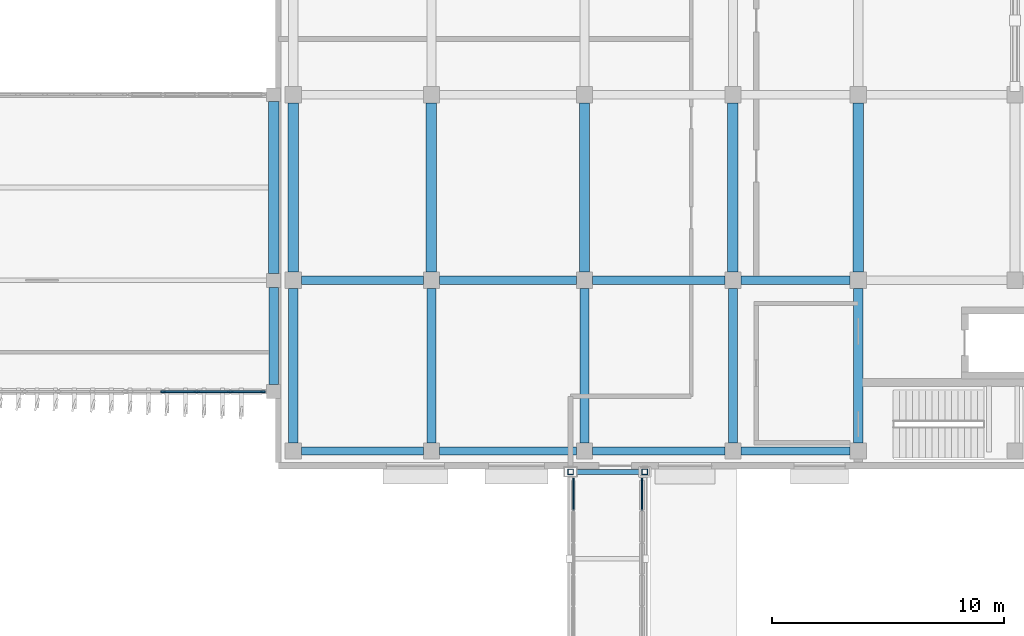
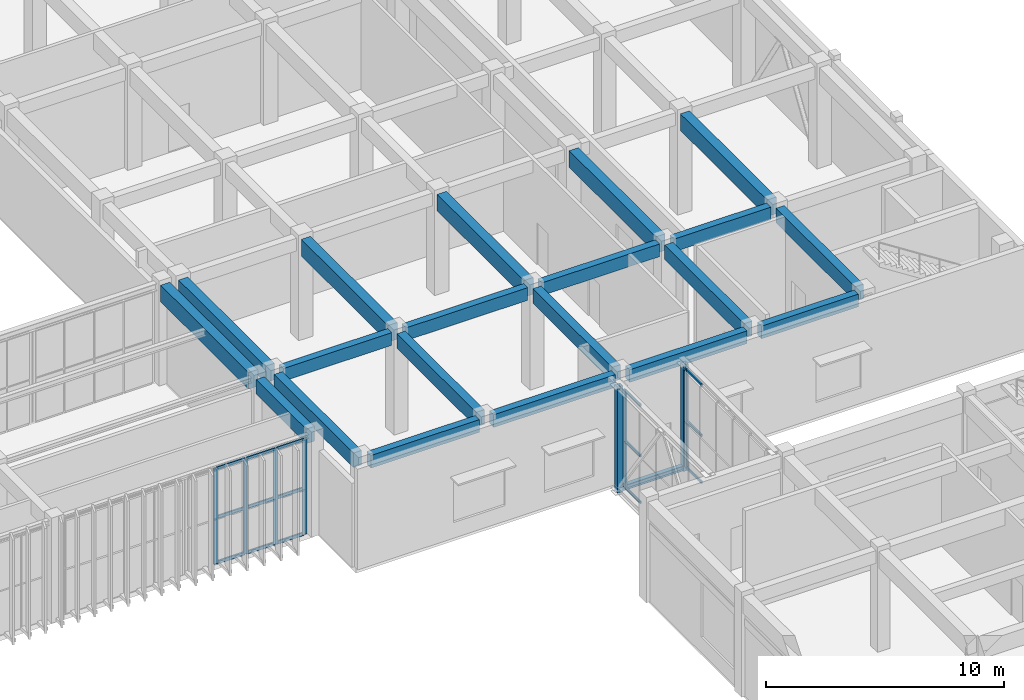
# One storey, part 25 of 64: 23 members, 21 beams, 3 elements without a shape of their own.
"""IFC4 building model written with IfcOpenShell, lengths in metres."""

from ifc_helpers import new_model, si_unit, direction, frame, origin, origin_2d, place, context, subcontext, project, spatial, rectangle, hollow_rectangle, i_section, extrude, material, layer, layer_set, material_profile, profile_set, type_object, element, aggregate, save


model = new_model("IFC4")

# Units and contexts
model_context = context("Model", 3, precision=1e-05, world=origin(), true_north=direction((0.0, 1.0)))
body_context = subcontext(model_context, "Body", "Model", "MODEL_VIEW")
ifc_project = project(units=[si_unit("LENGTHUNIT", "METRE"), si_unit("AREAUNIT", "SQUARE_METRE"), si_unit("VOLUMEUNIT", "CUBIC_METRE"), si_unit("PLANEANGLEUNIT", "RADIAN"), si_unit("MASSUNIT", "GRAM", prefix="KILO")], contexts=[model_context])

# Site, building, storey
site_placement = place(None, origin())
site = spatial("IfcSite", under=ifc_project, at=site_placement, CompositionType="ELEMENT")
building_placement = place(site_placement, origin())
building = spatial("IfcBuilding", under=site, at=building_placement, Name="Cinchona Park Media Centre", CompositionType="ELEMENT")
storey_placement = place(building_placement, frame((0.0, 0.0, 10.199951171875)))
storey = spatial("IfcBuildingStorey", under=building, at=storey_placement, Name="L02", CompositionType="ELEMENT", Elevation=10.199951171875)

# Beams
ifc_material_1 = material(Name="Concrete C35/45", Category="concrete")
ifc_material_profile_1 = material_profile(ifc_material_1, rectangle(XDim=0.39990234375, YDim=0.75, at=origin_2d()), Name="RB 400X750")
ifc_profile_set_1 = profile_set([ifc_material_profile_1], Name="Concrete C35/45")
beam_type_1 = type_object("IfcBeamType", Name="BEAM-B01-RB400X750", PredefinedType="BEAM", material=ifc_profile_set_1)
beam_1_placement = place(storey_placement, frame((139.39990234375, 75.10009765625, 4.78515625), z_axis=(0.0, 1.0, 0.0), x_axis=(-1.0, 0.0, 0.0)))
element("IfcBeam", 1, at=beam_1_placement, inside=storey, type_object=beam_type_1, Name="Girder B01 L02", PredefinedType="BEAM", context=body_context, shape_type="SweptSolid", body=[
    extrude(rectangle(XDim=0.39990234375, YDim=0.75, at=origin_2d()), origin(), (0.0, 0.0, 1.0), 4.199951171875),
])
for number, where, z_axis, x_axis, name in (
    (2, (140.239990234375, 72.590087890625, 4.78515625), (0.0, 1.0, 0.0), (-1.0, 0.0, 0.0), "Girder B01 L02"),
    (3, (146.199951171875, 72.590087890625, 4.78515625), (0.0, 1.0, 0.0), (-1.0, 0.0, 0.0), "Girder B01 L02"),
    (4, (152.800048828125, 72.590087890625, 4.78515625), (0.0, 1.0, 0.0), (-1.0, 0.0, 0.0), "Girder B01 L02"),
    (5, (159.199951171875, 72.590087890625, 4.78515625), (0.0, 1.0, 0.0), (-1.0, 0.0, 0.0), "Girder B01 L02"),
    (6, (164.60009765625, 72.590087890625, 4.78515625), (0.0, 1.0, 0.0), (-1.0, 0.0, 0.0), "Girder B01 L02"),
):
    element("IfcBeam", number, at=place(storey_placement, frame(where, z_axis=z_axis, x_axis=x_axis)), inside=storey, type_object=beam_type_1, Name=name, PredefinedType="BEAM", context=body_context, shape_type="SweptSolid", body=[
        extrude(rectangle(XDim=0.39990234375, YDim=0.75, at=origin_2d()), origin(), (0.0, 0.0, 1.0), 6.659912109375),
    ])
ifc_material_2 = material(Name="Concrete C35/45", Category="concrete")
ifc_material_profile_2 = material_profile(ifc_material_2, rectangle(XDim=0.449951171875, YDim=0.85009765625, at=origin_2d()), Name="RB 450X850")
ifc_profile_set_2 = profile_set([ifc_material_profile_2], Name="Concrete C35/45")
beam_type_2 = type_object("IfcBeamType", Name="BEAM-B02-RB450X850", PredefinedType="BEAM", material=ifc_profile_set_2)
beam_2_placement = place(storey_placement, frame((139.39990234375, 79.89990234375, 4.735107421875), z_axis=(0.0, 1.0, 0.0), x_axis=(-1.0, 0.0, 0.0)))
element("IfcBeam", 7, at=beam_2_placement, inside=storey, type_object=beam_type_2, Name="Girder B02 L02", PredefinedType="BEAM", context=body_context, shape_type="SweptSolid", body=[
    extrude(rectangle(XDim=0.449951171875, YDim=0.85009765625, at=origin_2d()), origin(), (0.0, 0.0, 1.0), 7.400146484375),
])
for number, where, z_axis, x_axis, name in (
    (8, (140.239990234375, 79.949951171875, 4.735107421875), (0.0, 1.0, 0.0), (-1.0, 0.0, 0.0), "Girder B02 L02"),
    (9, (146.199951171875, 79.949951171875, 4.735107421875), (0.0, 1.0, 0.0), (-1.0, 0.0, 0.0), "Girder B02 L02"),
    (10, (152.800048828125, 79.949951171875, 4.735107421875), (0.0, 1.0, 0.0), (-1.0, 0.0, 0.0), "Girder B02 L02"),
    (11, (159.199951171875, 79.949951171875, 4.735107421875), (0.0, 1.0, 0.0), (-1.0, 0.0, 0.0), "Girder B02 L02"),
    (12, (164.60009765625, 79.949951171875, 4.735107421875), (0.0, 1.0, 0.0), (-1.0, 0.0, 0.0), "Girder B02 L02"),
):
    element("IfcBeam", number, at=place(storey_placement, frame(where, z_axis=z_axis, x_axis=x_axis)), inside=storey, type_object=beam_type_2, Name=name, PredefinedType="BEAM", context=body_context, shape_type="SweptSolid", body=[
        extrude(rectangle(XDim=0.449951171875, YDim=0.85009765625, at=origin_2d()), origin(), (0.0, 0.0, 1.0), 7.300048828125),
    ])
ifc_material_3 = material(Name="Concrete C35/45", Category="concrete")
ifc_material_profile_3 = material_profile(ifc_material_3, rectangle(XDim=0.35009765625, YDim=0.64990234375, at=origin_2d()), Name="RB 350X650")
ifc_profile_set_3 = profile_set([ifc_material_profile_3], Name="Concrete C35/45")
beam_type_3 = type_object("IfcBeamType", Name="BEAM-B04-RB350X650", PredefinedType="BEAM", material=ifc_profile_set_3)
beam_3_placement = place(storey_placement, frame((140.590087890625, 72.239990234375, 4.8349609375), z_axis=(1.0, 0.0, 0.0), x_axis=(0.0, 1.0, 0.0)))
element("IfcBeam", 13, at=beam_3_placement, inside=storey, type_object=beam_type_3, Name="Beam B04 L02", PredefinedType="BEAM", context=body_context, shape_type="SweptSolid", body=[
    extrude(rectangle(XDim=0.35009765625, YDim=0.64990234375, at=origin_2d()), origin(), (0.0, 0.0, 1.0), 5.260009765625),
])
beam_4_placement = place(storey_placement, frame((146.550048828125, 72.239990234375, 4.8349609375), z_axis=(1.0, 0.0, 0.0), x_axis=(0.0, 1.0, 0.0)))
element("IfcBeam", 14, at=beam_4_placement, inside=storey, type_object=beam_type_3, Name="Beam B04 L02", PredefinedType="BEAM", context=body_context, shape_type="SweptSolid", body=[
    extrude(rectangle(XDim=0.35009765625, YDim=0.64990234375, at=origin_2d()), origin(), (0.0, 0.0, 1.0), 5.89990234375),
])
beam_5_placement = place(storey_placement, frame((153.14990234375, 72.239990234375, 4.8349609375), z_axis=(1.0, 0.0, 0.0), x_axis=(0.0, 1.0, 0.0)))
element("IfcBeam", 15, at=beam_5_placement, inside=storey, type_object=beam_type_3, Name="Beam B04 L02", PredefinedType="BEAM", context=body_context, shape_type="SweptSolid", body=[
    extrude(rectangle(XDim=0.35009765625, YDim=0.64990234375, at=origin_2d()), origin(), (0.0, 0.0, 1.0), 5.7001953125),
])
beam_6_placement = place(storey_placement, frame((159.550048828125, 72.239990234375, 4.8349609375), z_axis=(1.0, 0.0, 0.0), x_axis=(0.0, 1.0, 0.0)))
element("IfcBeam", 16, at=beam_6_placement, inside=storey, type_object=beam_type_3, Name="Beam B04 L02", PredefinedType="BEAM", context=body_context, shape_type="SweptSolid", body=[
    extrude(rectangle(XDim=0.35009765625, YDim=0.64990234375, at=origin_2d()), origin(), (0.0, 0.0, 1.0), 4.699951171875),
])
beam_7_placement = place(storey_placement, frame((140.590087890625, 79.60009765625, 4.8349609375), z_axis=(1.0, 0.0, 0.0), x_axis=(0.0, 1.0, 0.0)))
element("IfcBeam", 17, at=beam_7_placement, inside=storey, type_object=beam_type_3, Name="Beam B04 L02", PredefinedType="BEAM", context=body_context, shape_type="SweptSolid", body=[
    extrude(rectangle(XDim=0.35009765625, YDim=0.64990234375, at=origin_2d()), origin(), (0.0, 0.0, 1.0), 5.260009765625),
])
beam_8_placement = place(storey_placement, frame((146.550048828125, 79.60009765625, 4.8349609375), z_axis=(1.0, 0.0, 0.0), x_axis=(0.0, 1.0, 0.0)))
element("IfcBeam", 18, at=beam_8_placement, inside=storey, type_object=beam_type_3, Name="Beam B04 L02", PredefinedType="BEAM", context=body_context, shape_type="SweptSolid", body=[
    extrude(rectangle(XDim=0.35009765625, YDim=0.64990234375, at=origin_2d()), origin(), (0.0, 0.0, 1.0), 5.89990234375),
])
beam_9_placement = place(storey_placement, frame((153.14990234375, 79.60009765625, 4.8349609375), z_axis=(1.0, 0.0, 0.0), x_axis=(0.0, 1.0, 0.0)))
element("IfcBeam", 19, at=beam_9_placement, inside=storey, type_object=beam_type_3, Name="Beam B04 L02", PredefinedType="BEAM", context=body_context, shape_type="SweptSolid", body=[
    extrude(rectangle(XDim=0.35009765625, YDim=0.64990234375, at=origin_2d()), origin(), (0.0, 0.0, 1.0), 5.7001953125),
])
beam_10_placement = place(storey_placement, frame((159.550048828125, 79.60009765625, 4.8349609375), z_axis=(1.0, 0.0, 0.0), x_axis=(0.0, 1.0, 0.0)))
element("IfcBeam", 20, at=beam_10_placement, inside=storey, type_object=beam_type_3, Name="Beam B04 L02", PredefinedType="BEAM", context=body_context, shape_type="SweptSolid", body=[
    extrude(rectangle(XDim=0.35009765625, YDim=0.64990234375, at=origin_2d()), origin(), (0.0, 0.0, 1.0), 4.699951171875),
])
ifc_material_4 = material(Name="Steel S355", Category="steel")
ifc_material_profile_4 = material_profile(ifc_material_4, i_section(OverallWidth=0.202880859375, OverallDepth=0.251953125, WebThickness=0.008056640625, FlangeThickness=0.013427734375, at=origin_2d()), Name="W250X58")
ifc_profile_set_4 = profile_set([ifc_material_profile_4], Name="Steel S355")
beam_type_4 = type_object("IfcBeamType", Name="BEAM-B09-W250X58", PredefinedType="BEAM", material=ifc_profile_set_4)
beam_11_placement = place(storey_placement, frame((152.340087890625, 71.340087890625, -0.14990234375), z_axis=(1.0, 0.0, 0.0), x_axis=(0.0, 1.0, 0.0)))
element("IfcBeam", 21, at=beam_11_placement, inside=storey, type_object=beam_type_4, Name="Skybridge Cross Transom Beam B09 SB2", PredefinedType="BEAM", context=body_context, shape_type="SweptSolid", body=[
    extrude(i_section(OverallWidth=0.202880859375, OverallDepth=0.251953125, WebThickness=0.008056640625, FlangeThickness=0.013427734375, at=origin_2d()), origin(), (0.0, 0.0, 1.0), 2.919921875),
])

# Members
ifc_material_5 = material(Name="Steel S355", Category="steel")
ifc_material_profile_5 = material_profile(ifc_material_5, hollow_rectangle(XDim=0.25, YDim=0.25, WallThickness=0.01611328125, at=origin_2d()), Name="250X250X16SHS")
ifc_profile_set_5 = profile_set([ifc_material_profile_5], Name="Steel S355")
member_type_1 = type_object("IfcMemberType", Name="MEMBER-TS02-SHS250X250X16", PredefinedType="STRUT", material=ifc_profile_set_5)
for number, where, z_axis, x_axis, name in (
    (22, (152.199951171875, 71.340087890625, -0.300048828125), (0.0, 0.0, 1.0), (1.0, 0.0, 0.0), "Skybridge Truss End Post TS02 SB2"),
    (23, (155.39990234375, 71.340087890625, -0.300048828125), (0.0, 0.0, 1.0), (1.0, 0.0, 0.0), "Skybridge Truss End Post TS02 SB2"),
):
    element("IfcMember", number, at=place(storey_placement, frame(where, z_axis=z_axis, x_axis=x_axis)), inside=storey, type_object=member_type_1, Name=name, PredefinedType="STRUT", context=body_context, shape_type="SweptSolid", body=[
        extrude(hollow_rectangle(XDim=0.25, YDim=0.25, WallThickness=0.01611328125, at=origin_2d()), origin(), (0.0, 0.0, 1.0), 5.4501953125),
    ])

# Curtain wall, member
ifc_material_6 = material(Name="Aluminium Curtain Wall Framing", Category="aluminium")
ifc_layer_1 = layer(ifc_material_6, 0.195068359375)
ifc_layer_set_1 = layer_set([ifc_layer_1], Name="Aluminium Curtain Wall Framing")
curtain_wall_type_1 = type_object("IfcCurtainWallType", Name="CW-CW02", PredefinedType="USERDEFINED", material=ifc_layer_set_1)
curtain_wall_1_placement = place(storey_placement, origin())
curtain_wall_1 = element("IfcCurtainWall", 24, at=curtain_wall_1_placement, inside=storey, type_object=curtain_wall_type_1, Name="Skybridge SB2 Curtain Wall CW02 L02", ObjectType="UNITISED CURTAIN WALL", PredefinedType="USERDEFINED")
ifc_material_7 = material(Name="Anodised Aluminium Alloy 6063-T6", Category="aluminium")
ifc_material_profile_6 = material_profile(ifc_material_7, rectangle(XDim=0.06494140625, YDim=0.159912109375, at=origin_2d()), Name="MUL-65X160")
ifc_profile_set_6 = profile_set([ifc_material_profile_6], Name="Anodised Aluminium Alloy 6063-T6")
member_type_2 = type_object("IfcMemberType", Name="MULLION-MUL01", PredefinedType="MULLION", material=ifc_profile_set_6)
member_1_placement = place(storey_placement, frame((152.320068359375, 70.99755859375, 0.050048828125), z_axis=(0.0, 0.0, 1.0), x_axis=(-1.0, 0.0, 0.0)))
member_1 = element("IfcMember", 25, at=member_1_placement, type_object=member_type_2, Name="CW02 mullion 6", PredefinedType="MULLION", context=body_context, shape_type="SweptSolid", body=[
    extrude(rectangle(XDim=0.06494140625, YDim=0.159912109375, at=origin_2d()), origin(), (0.0, 0.0, 1.0), 5.050048828125),
])

curtain_wall_2_placement = place(storey_placement, origin())
curtain_wall_2 = element("IfcCurtainWall", 26, at=curtain_wall_2_placement, inside=storey, type_object=curtain_wall_type_1, Name="Skybridge SB2 Curtain Wall CW02 L02", ObjectType="UNITISED CURTAIN WALL", PredefinedType="USERDEFINED")
member_2_placement = place(storey_placement, frame((155.280029296875, 70.99755859375, 0.050048828125), z_axis=(0.0, 0.0, 1.0), x_axis=(1.0, 0.0, 0.0)))
member_2 = element("IfcMember", 27, at=member_2_placement, type_object=member_type_2, Name="CW02 mullion 1", PredefinedType="MULLION", context=body_context, shape_type="SweptSolid", body=[
    extrude(rectangle(XDim=0.06494140625, YDim=0.159912109375, at=origin_2d()), origin(), (0.0, 0.0, 1.0), 5.050048828125),
])

# Curtain wall, members
ifc_material_8 = material(Name="Aluminium Curtain Wall Framing", Category="aluminium")
ifc_layer_2 = layer(ifc_material_8, 0.2548828125)
ifc_layer_set_2 = layer_set([ifc_layer_2], Name="Aluminium Curtain Wall Framing")
curtain_wall_type_2 = type_object("IfcCurtainWallType", Name="CW-CW06", PredefinedType="USERDEFINED", material=ifc_layer_set_2)
curtain_wall_3_placement = place(storey_placement, origin())
curtain_wall_3 = element("IfcCurtainWall", 28, at=curtain_wall_3_placement, inside=storey, type_object=curtain_wall_type_2, Name="Curtain Wall CW06 L02", ObjectType="UNITISED CURTAIN WALL", PredefinedType="USERDEFINED")
ifc_material_9 = material(Name="Anodised Aluminium Alloy 6063-T6", Category="aluminium")
ifc_material_profile_7 = material_profile(ifc_material_9, rectangle(XDim=0.074951171875, YDim=0.2099609375, at=origin_2d()), Name="MUL-75X210")
ifc_profile_set_7 = profile_set([ifc_material_profile_7], Name="Anodised Aluminium Alloy 6063-T6")
member_type_3 = type_object("IfcMemberType", Name="MULLION-MUL03", PredefinedType="MULLION", material=ifc_profile_set_7)
member_3_placement = place(storey_placement, frame((138.9423828125, 74.800048828125, 0.050048828125), z_axis=(0.0, 0.0, 1.0), x_axis=(0.0, -1.0, 0.0)))
member_3 = element("IfcMember", 29, at=member_3_placement, type_object=member_type_3, Name="CW06 mullion 1", PredefinedType="MULLION", context=body_context, shape_type="SweptSolid", body=[
    extrude(rectangle(XDim=0.074951171875, YDim=0.2099609375, at=origin_2d()), origin(), (0.0, 0.0, 1.0), 4.906982421875),
])
member_4_placement = place(storey_placement, frame((137.530029296875, 74.800048828125, 0.050048828125), z_axis=(0.0, 0.0, 1.0), x_axis=(0.0, -1.0, 0.0)))
member_4 = element("IfcMember", 30, at=member_4_placement, type_object=member_type_3, Name="CW06 mullion 2", PredefinedType="MULLION", context=body_context, shape_type="SweptSolid", body=[
    extrude(rectangle(XDim=0.074951171875, YDim=0.2099609375, at=origin_2d()), origin(), (0.0, 0.0, 1.0), 4.906982421875),
])
member_5_placement = place(storey_placement, frame((136.080078125, 74.800048828125, 0.050048828125), z_axis=(0.0, 0.0, 1.0), x_axis=(0.0, -1.0, 0.0)))
member_5 = element("IfcMember", 31, at=member_5_placement, type_object=member_type_3, Name="CW06 mullion 3", PredefinedType="MULLION", context=body_context, shape_type="SweptSolid", body=[
    extrude(rectangle(XDim=0.074951171875, YDim=0.2099609375, at=origin_2d()), origin(), (0.0, 0.0, 1.0), 4.906982421875),
])
member_6_placement = place(storey_placement, frame((134.6298828125, 74.800048828125, 0.050048828125), z_axis=(0.0, 0.0, 1.0), x_axis=(0.0, -1.0, 0.0)))
member_6 = element("IfcMember", 32, at=member_6_placement, type_object=member_type_3, Name="CW06 mullion 4", PredefinedType="MULLION", context=body_context, shape_type="SweptSolid", body=[
    extrude(rectangle(XDim=0.074951171875, YDim=0.2099609375, at=origin_2d()), origin(), (0.0, 0.0, 1.0), 4.906982421875),
])

# Member
ifc_material_10 = material(Name="Anodised Aluminium Alloy 6063-T6", Category="aluminium")
ifc_material_profile_8 = material_profile(ifc_material_10, rectangle(XDim=0.06494140625, YDim=0.1201171875, at=origin_2d()), Name="TRN-65X120")
ifc_profile_set_8 = profile_set([ifc_material_profile_8], Name="Anodised Aluminium Alloy 6063-T6")
member_type_4 = type_object("IfcMemberType", Name="TRANSOM-TRN01", PredefinedType="USERDEFINED", material=ifc_profile_set_8)
member_7_placement = place(storey_placement, frame((152.320068359375, 69.6904296875, 0.08251953125), z_axis=(0.0, 1.0, 0.0), x_axis=(-1.0, 0.0, 0.0)))
member_7 = element("IfcMember", 33, at=member_7_placement, type_object=member_type_4, Name="CW02 transom 5.1", ObjectType="TRANSOM", PredefinedType="USERDEFINED", context=body_context, shape_type="SweptSolid", body=[
    extrude(rectangle(XDim=0.06494140625, YDim=0.1201171875, at=origin_2d()), origin(), (0.0, 0.0, 1.0), 1.274658203125),
])

member_8_placement = place(storey_placement, frame((152.320068359375, 69.6904296875, 2.47412109375), z_axis=(0.0, 1.0, 0.0), x_axis=(-1.0, 0.0, 0.0)))
member_8 = element("IfcMember", 34, at=member_8_placement, type_object=member_type_4, Name="CW02 transom 5.2", ObjectType="TRANSOM", PredefinedType="USERDEFINED", context=body_context, shape_type="SweptSolid", body=[
    extrude(rectangle(XDim=0.06494140625, YDim=0.1201171875, at=origin_2d()), origin(), (0.0, 0.0, 1.0), 1.274658203125),
])

member_9_placement = place(storey_placement, frame((152.320068359375, 69.6904296875, 5.067626953125), z_axis=(0.0, 1.0, 0.0), x_axis=(-1.0, 0.0, 0.0)))
member_9 = element("IfcMember", 35, at=member_9_placement, type_object=member_type_4, Name="CW02 transom 5.3", ObjectType="TRANSOM", PredefinedType="USERDEFINED", context=body_context, shape_type="SweptSolid", body=[
    extrude(rectangle(XDim=0.06494140625, YDim=0.1201171875, at=origin_2d()), origin(), (0.0, 0.0, 1.0), 1.274658203125),
])

aggregate(curtain_wall_1, [member_1, member_7, member_8, member_9])

member_10_placement = place(storey_placement, frame((155.280029296875, 70.965087890625, 0.08251953125), z_axis=(0.0, -1.0, 0.0), x_axis=(1.0, 0.0, 0.0)))
member_10 = element("IfcMember", 36, at=member_10_placement, type_object=member_type_4, Name="CW02 transom 1.1", ObjectType="TRANSOM", PredefinedType="USERDEFINED", context=body_context, shape_type="SweptSolid", body=[
    extrude(rectangle(XDim=0.06494140625, YDim=0.1201171875, at=origin_2d()), origin(), (0.0, 0.0, 1.0), 1.274658203125),
])

member_11_placement = place(storey_placement, frame((155.280029296875, 70.965087890625, 2.47412109375), z_axis=(0.0, -1.0, 0.0), x_axis=(1.0, 0.0, 0.0)))
member_11 = element("IfcMember", 37, at=member_11_placement, type_object=member_type_4, Name="CW02 transom 1.2", ObjectType="TRANSOM", PredefinedType="USERDEFINED", context=body_context, shape_type="SweptSolid", body=[
    extrude(rectangle(XDim=0.06494140625, YDim=0.1201171875, at=origin_2d()), origin(), (0.0, 0.0, 1.0), 1.274658203125),
])

member_12_placement = place(storey_placement, frame((155.280029296875, 70.965087890625, 5.067626953125), z_axis=(0.0, -1.0, 0.0), x_axis=(1.0, 0.0, 0.0)))
member_12 = element("IfcMember", 38, at=member_12_placement, type_object=member_type_4, Name="CW02 transom 1.3", ObjectType="TRANSOM", PredefinedType="USERDEFINED", context=body_context, shape_type="SweptSolid", body=[
    extrude(rectangle(XDim=0.06494140625, YDim=0.1201171875, at=origin_2d()), origin(), (0.0, 0.0, 1.0), 1.274658203125),
])

aggregate(curtain_wall_2, [member_2, member_10, member_11, member_12])

ifc_material_11 = material(Name="Anodised Aluminium Alloy 6063-T6", Category="aluminium")
ifc_material_profile_9 = material_profile(ifc_material_11, rectangle(XDim=0.074951171875, YDim=0.159912109375, at=origin_2d()), Name="TRN-75X160")
ifc_profile_set_9 = profile_set([ifc_material_profile_9], Name="Anodised Aluminium Alloy 6063-T6")
member_type_5 = type_object("IfcMemberType", Name="TRANSOM-TRN03", PredefinedType="USERDEFINED", material=ifc_profile_set_9)
member_13_placement = place(storey_placement, frame((138.905029296875, 74.800048828125, 0.087646484375), z_axis=(-1.0, 0.0, 0.0), x_axis=(0.0, -1.0, 0.0)))
member_13 = element("IfcMember", 39, at=member_13_placement, type_object=member_type_5, Name="CW06 transom 1.1", ObjectType="TRANSOM", PredefinedType="USERDEFINED", context=body_context, shape_type="SweptSolid", body=[
    extrude(rectangle(XDim=0.074951171875, YDim=0.159912109375, at=origin_2d()), origin(), (0.0, 0.0, 1.0), 1.337646484375),
])

member_14_placement = place(storey_placement, frame((138.905029296875, 74.800048828125, 2.405029296875), z_axis=(-1.0, 0.0, 0.0), x_axis=(0.0, -1.0, 0.0)))
member_14 = element("IfcMember", 40, at=member_14_placement, type_object=member_type_5, Name="CW06 transom 1.2", ObjectType="TRANSOM", PredefinedType="USERDEFINED", context=body_context, shape_type="SweptSolid", body=[
    extrude(rectangle(XDim=0.074951171875, YDim=0.159912109375, at=origin_2d()), origin(), (0.0, 0.0, 1.0), 1.337646484375),
])

member_15_placement = place(storey_placement, frame((138.905029296875, 74.800048828125, 4.91943359375), z_axis=(-1.0, 0.0, 0.0), x_axis=(0.0, -1.0, 0.0)))
member_15 = element("IfcMember", 41, at=member_15_placement, type_object=member_type_5, Name="CW06 transom 1.3", ObjectType="TRANSOM", PredefinedType="USERDEFINED", context=body_context, shape_type="SweptSolid", body=[
    extrude(rectangle(XDim=0.074951171875, YDim=0.159912109375, at=origin_2d()), origin(), (0.0, 0.0, 1.0), 1.337646484375),
])

member_16_placement = place(storey_placement, frame((137.492431640625, 74.800048828125, 0.087646484375), z_axis=(-1.0, 0.0, 0.0), x_axis=(0.0, -1.0, 0.0)))
member_16 = element("IfcMember", 42, at=member_16_placement, type_object=member_type_5, Name="CW06 transom 2.1", ObjectType="TRANSOM", PredefinedType="USERDEFINED", context=body_context, shape_type="SweptSolid", body=[
    extrude(rectangle(XDim=0.074951171875, YDim=0.159912109375, at=origin_2d()), origin(), (0.0, 0.0, 1.0), 1.375),
])

member_17_placement = place(storey_placement, frame((137.492431640625, 74.800048828125, 2.405029296875), z_axis=(-1.0, 0.0, 0.0), x_axis=(0.0, -1.0, 0.0)))
member_17 = element("IfcMember", 43, at=member_17_placement, type_object=member_type_5, Name="CW06 transom 2.2", ObjectType="TRANSOM", PredefinedType="USERDEFINED", context=body_context, shape_type="SweptSolid", body=[
    extrude(rectangle(XDim=0.074951171875, YDim=0.159912109375, at=origin_2d()), origin(), (0.0, 0.0, 1.0), 1.375),
])

member_18_placement = place(storey_placement, frame((137.492431640625, 74.800048828125, 4.91943359375), z_axis=(-1.0, 0.0, 0.0), x_axis=(0.0, -1.0, 0.0)))
member_18 = element("IfcMember", 44, at=member_18_placement, type_object=member_type_5, Name="CW06 transom 2.3", ObjectType="TRANSOM", PredefinedType="USERDEFINED", context=body_context, shape_type="SweptSolid", body=[
    extrude(rectangle(XDim=0.074951171875, YDim=0.159912109375, at=origin_2d()), origin(), (0.0, 0.0, 1.0), 1.375),
])

member_19_placement = place(storey_placement, frame((136.04248046875, 74.800048828125, 0.087646484375), z_axis=(-1.0, 0.0, 0.0), x_axis=(0.0, -1.0, 0.0)))
member_19 = element("IfcMember", 45, at=member_19_placement, type_object=member_type_5, Name="CW06 transom 3.1", ObjectType="TRANSOM", PredefinedType="USERDEFINED", context=body_context, shape_type="SweptSolid", body=[
    extrude(rectangle(XDim=0.074951171875, YDim=0.159912109375, at=origin_2d()), origin(), (0.0, 0.0, 1.0), 1.375),
])

member_20_placement = place(storey_placement, frame((136.04248046875, 74.800048828125, 2.405029296875), z_axis=(-1.0, 0.0, 0.0), x_axis=(0.0, -1.0, 0.0)))
member_20 = element("IfcMember", 46, at=member_20_placement, type_object=member_type_5, Name="CW06 transom 3.2", ObjectType="TRANSOM", PredefinedType="USERDEFINED", context=body_context, shape_type="SweptSolid", body=[
    extrude(rectangle(XDim=0.074951171875, YDim=0.159912109375, at=origin_2d()), origin(), (0.0, 0.0, 1.0), 1.375),
])

member_21_placement = place(storey_placement, frame((136.04248046875, 74.800048828125, 4.91943359375), z_axis=(-1.0, 0.0, 0.0), x_axis=(0.0, -1.0, 0.0)))
member_21 = element("IfcMember", 47, at=member_21_placement, type_object=member_type_5, Name="CW06 transom 3.3", ObjectType="TRANSOM", PredefinedType="USERDEFINED", context=body_context, shape_type="SweptSolid", body=[
    extrude(rectangle(XDim=0.074951171875, YDim=0.159912109375, at=origin_2d()), origin(), (0.0, 0.0, 1.0), 1.375),
])

aggregate(curtain_wall_3, [member_3, member_4, member_5, member_6, member_13, member_14, member_15, member_16, member_17, member_18, member_19, member_20, member_21])

save(model, "model.ifc")
